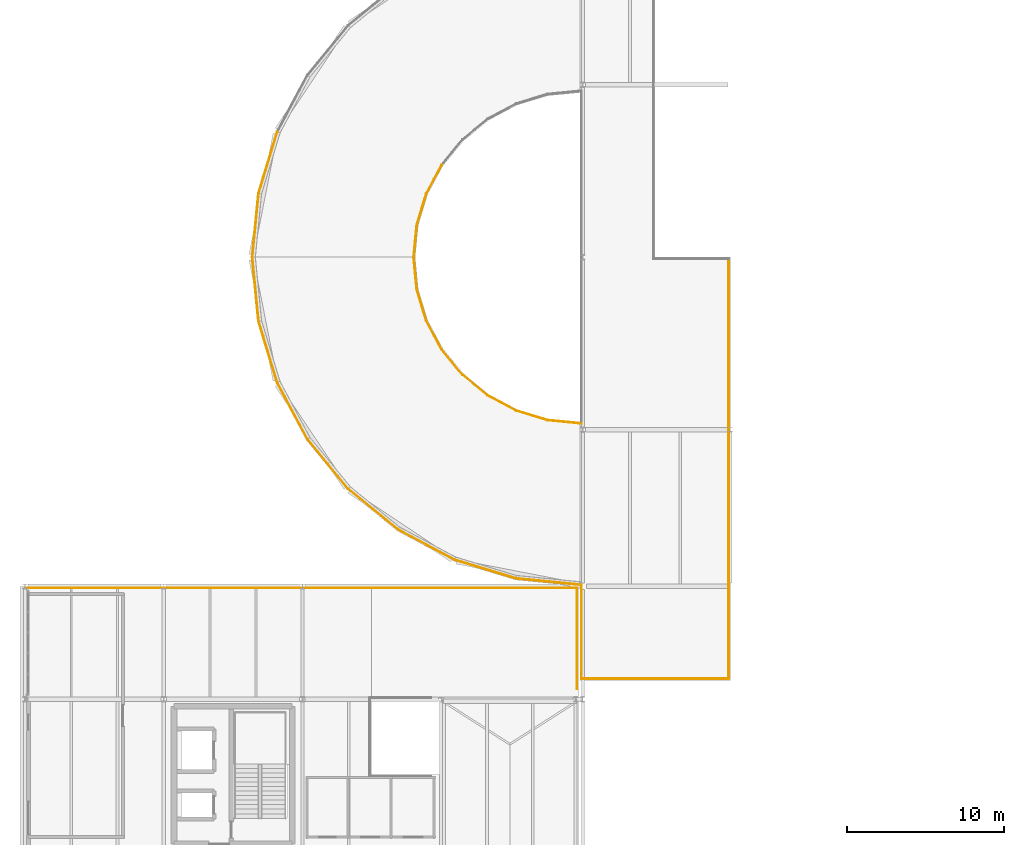
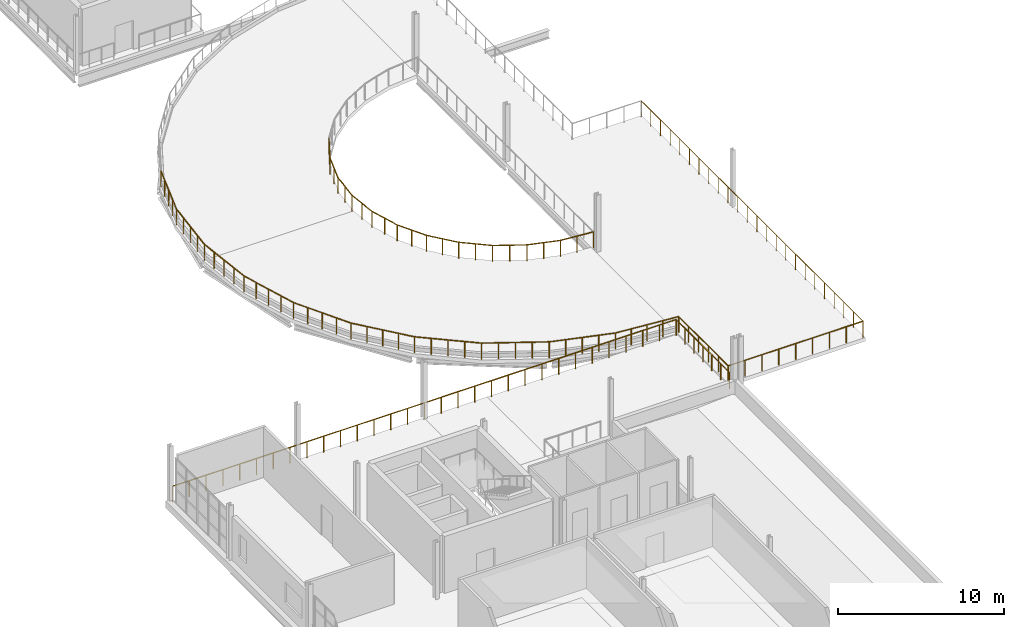
# One storey, part 52 of 58: 26 railings.
"""IFC4 building model written with IfcOpenShell, lengths in metres."""

import ifcopenshell
import ifcopenshell.guid

model = None  # the IFC model being written
_history = None  # IfcOwnerHistory: only IFC2X3 demands one
_inside = {}  # id of a spatial element -> (the spatial element, [elements in it])
_under = {}  # id of a project, library or spatial element -> (it, [spatial elements below it])
_declared = {}  # id of a project -> (the project, [libraries it declares])
_typed = {}  # id of a type object -> (the type object, [elements of that type])
_made_of = {}  # id of a material, layer set ... -> (it, [elements and type objects made of it])


def new_model(schema):
    """Start an empty IFC model of exactly this schema.

    Asked for "IFC4X3", IfcOpenShell would pick the latest addendum, in which some entities
    have other attributes; the version numbers below select the first issue.
    IFC2X3 requires an IfcOwnerHistory on every rooted entity: one is made here for all.
    """
    global model, _history
    if schema == "IFC4X3":
        model = ifcopenshell.file(schema_version=(4, 3, 0, 0))
    else:
        model = ifcopenshell.file(schema=schema)
    _inside.clear()
    _under.clear()
    _declared.clear()
    _typed.clear()
    _made_of.clear()
    _history = None
    if model.schema == "IFC2X3":
        org = make("IfcOrganization", Name="unknown")
        user = make(
            "IfcPersonAndOrganization",
            ThePerson=make("IfcPerson", FamilyName="unknown"),
            TheOrganization=org,
        )
        app = make(
            "IfcApplication",
            ApplicationDeveloper=org,
            Version="unknown",
            ApplicationFullName="unknown",
            ApplicationIdentifier="unknown",
        )
        _history = make(
            "IfcOwnerHistory",
            OwningUser=user,
            OwningApplication=app,
            ChangeAction="ADDED",
            CreationDate=0,
        )
    return model


def make(cls, **values):
    """One entity of the class cls with the attributes given. An attribute that is None is left unset."""
    return model.create_entity(
        cls, **{name: value for name, value in values.items() if value is not None}
    )


def rooted(cls, **values):
    """An entity with a GlobalId (a new one), such as an element, a storey or a relation."""
    return make(cls, GlobalId=ifcopenshell.guid.new(), OwnerHistory=_history, **values)


def si_unit(unit_type, name, prefix=None):
    """IfcSIUnit, for example si_unit("LENGTHUNIT", "METRE", prefix="MILLI")."""
    return make("IfcSIUnit", UnitType=unit_type, Prefix=prefix, Name=name)


def assignment(units):
    """IfcUnitAssignment: the units of a project."""
    return None if units is None else make("IfcUnitAssignment", Units=units)


def point(xyz):
    """IfcCartesianPoint."""
    return None if xyz is None else make("IfcCartesianPoint", Coordinates=xyz)


def direction(xyz):
    """IfcDirection."""
    return None if xyz is None else make("IfcDirection", DirectionRatios=xyz)


def frame(location, z_axis=None, x_axis=None):
    """IfcAxis2Placement3D, a coordinate frame: its origin and axes. An axis left out is left unset."""
    return make(
        "IfcAxis2Placement3D",
        Location=point(location),
        Axis=direction(z_axis),
        RefDirection=direction(x_axis),
    )


def frame_2d(location, x_axis=None):
    """IfcAxis2Placement2D, a coordinate frame in the plane: its origin and x axis."""
    return make(
        "IfcAxis2Placement2D", Location=point(location), RefDirection=direction(x_axis)
    )


def origin():
    """The frame at (0, 0, 0) with its axes left unset."""
    return frame((0.0, 0.0, 0.0))


def origin_2d():
    """The frame at (0, 0) in the plane with its x axis left unset."""
    return frame_2d((0.0, 0.0))


def place(relative_to, where):
    """IfcLocalPlacement: puts the frame where relative to a parent placement (None: the world)."""
    return make(
        "IfcLocalPlacement", PlacementRelTo=relative_to, RelativePlacement=where
    )


def context(
    kind, dimensions, precision=None, world=None, true_north=None, identifier=None
):
    """IfcGeometricRepresentationContext, for example the 3D "Model" context."""
    return make(
        "IfcGeometricRepresentationContext",
        ContextIdentifier=identifier,
        ContextType=kind,
        CoordinateSpaceDimension=dimensions,
        Precision=precision,
        WorldCoordinateSystem=world,
        TrueNorth=true_north,
    )


def subcontext(parent, identifier, kind, view, scale=None):
    """IfcGeometricRepresentationSubContext, for example "Body" below "Model"."""
    return make(
        "IfcGeometricRepresentationSubContext",
        ContextIdentifier=identifier,
        ContextType=kind,
        ParentContext=parent,
        TargetScale=scale,
        TargetView=view,
    )


def project(units=None, contexts=None):
    """IfcProject with its units and contexts."""
    return rooted(
        "IfcProject",
        Name="project",
        RepresentationContexts=contexts,
        UnitsInContext=assignment(units),
    )


def spatial(cls, under=None, at=None, **own):
    """A site, building, storey or space (cls), placed at a placement, below another one or the project."""
    s = rooted(cls, ObjectPlacement=at, **own)
    if under is not None:
        _under.setdefault(under.id(), (under, []))[1].append(s)
    return s


def profile(cls, at=None, kind="AREA", **sizes):
    """A parametric profile (cls). Its sizes go by their IFC names, for example OverallWidth=200.0."""
    return make(cls, ProfileType=kind, Position=at, **sizes)


def circle(**sizes):
    """IfcCircleProfileDef."""
    return profile("IfcCircleProfileDef", **sizes)


def extrude(swept, where, along, depth):
    """IfcExtrudedAreaSolid: the profile swept, set in the frame where, extruded along a direction by depth."""
    return make(
        "IfcExtrudedAreaSolid",
        SweptArea=swept,
        Position=where,
        ExtrudedDirection=direction(along),
        Depth=depth,
    )


def shape(context_of_items, identifier, shape_type, items):
    """IfcShapeRepresentation: the items that make up one representation, for example the "Body"."""
    return make(
        "IfcShapeRepresentation",
        ContextOfItems=context_of_items,
        RepresentationIdentifier=identifier,
        RepresentationType=shape_type,
        Items=items,
    )


def material(Name=None, Category=None):
    """IfcMaterial."""
    return make("IfcMaterial", Name=Name, Category=Category)


def made_of(thing, what):
    """Note that an element or type object is made of a material, layer set ...; save() writes the relation."""
    if what is not None:
        _made_of.setdefault(what.id(), (what, []))[1].append(thing)
    return thing


def type_object(cls, material=None, **own):
    """A type object (cls), such as IfcWallType, which elements share."""
    return made_of(rooted(cls, **own), material)


def element(
    cls,
    number,
    at=None,
    inside=None,
    cuts=None,
    type_object=None,
    material=None,
    context=None,
    identifier="Body",
    shape_type=None,
    held_by="IfcProductDefinitionShape",
    body=None,
    shapes=None,
    **own,
):
    """One element of the class cls, such as IfcWall. Its Tag is "e" and its number.

    at: its placement. inside: the storey or other place that contains it. cuts: it is an
    opening in that element (IfcRelVoidsElement). A single representation is given by context,
    identifier, shape_type and body (its items); several are given by shapes. held_by: the class
    of the entity that holds the representations. save() writes the other relations.
    """
    e = rooted(cls, Tag="e%d" % number, ObjectPlacement=at, **own)
    if body is not None:
        shapes = [shape(context, identifier, shape_type, body)]
    if shapes is not None:
        e.Representation = make(held_by, Representations=shapes)
    if inside is not None:
        _inside.setdefault(inside.id(), (inside, []))[1].append(e)
    if cuts is not None:
        rooted(
            "IfcRelVoidsElement", RelatingBuildingElement=cuts, RelatedOpeningElement=e
        )
    if type_object is not None:
        _typed.setdefault(type_object.id(), (type_object, []))[1].append(e)
    return made_of(e, material)


def aggregate(whole, parts):
    """IfcRelAggregates: a whole, such as a stair, and the parts it consists of."""
    return rooted("IfcRelAggregates", RelatingObject=whole, RelatedObjects=parts)


def save(model, path):
    """Write the relations noted so far, then the file.

    IfcRelAggregates (storeys below a building ...), IfcRelContainedInSpatialStructure (elements
    in a storey), IfcRelDefinesByType, IfcRelAssociatesMaterial and IfcRelDeclares: one each for
    every whole, place, type object, material and project.
    """
    for whole, parts in _under.values():
        aggregate(whole, parts)
    for where, things in _inside.values():
        rooted(
            "IfcRelContainedInSpatialStructure",
            RelatedElements=things,
            RelatingStructure=where,
        )
    for kind, things in _typed.values():
        rooted("IfcRelDefinesByType", RelatedObjects=things, RelatingType=kind)
    for what, things in _made_of.values():
        rooted("IfcRelAssociatesMaterial", RelatedObjects=things, RelatingMaterial=what)
    for by, libraries in _declared.values():
        rooted("IfcRelDeclares", RelatingContext=by, RelatedDefinitions=libraries)
    model.write(path)


model = new_model("IFC4")

# Units and contexts
model_context = context("Model", 3, precision=1e-05, world=origin(), true_north=direction((0.0, 1.0)))
body_context = subcontext(model_context, "Body", "Model", "MODEL_VIEW")
ifc_project = project(units=[si_unit("LENGTHUNIT", "METRE"), si_unit("AREAUNIT", "SQUARE_METRE"), si_unit("VOLUMEUNIT", "CUBIC_METRE"), si_unit("PLANEANGLEUNIT", "RADIAN"), si_unit("MASSUNIT", "GRAM", prefix="KILO")], contexts=[model_context])

# Site, building, storey
site_placement = place(None, origin())
site = spatial("IfcSite", under=ifc_project, at=site_placement, CompositionType="ELEMENT")
building_placement = place(site_placement, origin())
building = spatial("IfcBuilding", under=site, at=building_placement, Name="Yeouljin Market Hall", CompositionType="ELEMENT")
storey_placement = place(building_placement, frame((0.0, 0.0, 10.800048828125)))
storey = spatial("IfcBuildingStorey", under=building, at=storey_placement, Name="L02", CompositionType="ELEMENT", Elevation=10.800048828125)

# Railings
ifc_material = material(Name="Wrought Iron and Bronze Gallery Balustrade")
railing_type = type_object("IfcRailingType", Name="Railing_AtriumBalustrade_1200", PredefinedType="BALUSTRADE", material=ifc_material)
railing_1_placement = place(storey_placement, frame((20.621826171875, 42.221923828125, 0.0)))
element("IfcRailing", 1, at=railing_1_placement, inside=storey, type_object=railing_type, Name="Gallery & deck edge balustrade L02-220", PredefinedType="BALUSTRADE", context=body_context, shape_type="SweptSolid", body=[
    extrude(circle(Radius=0.02392578125, at=origin_2d()), frame((0.0, 0.0, 1.17578125), z_axis=(-0.634398793596, 0.773005931855, 0.0), x_axis=(-0.773005931855, -0.634398793596, 0.0)), (0.0, 0.0, 1.0), 4.096923828125),
    extrude(circle(Radius=0.02099609375, at=origin_2d()), origin(), (0.0, 0.0, 1.0), 1.15185546875),
    extrude(circle(Radius=0.02099609375, at=origin_2d()), frame((-0.64990234375, 0.791748046875, 0.0)), (0.0, 0.0, 1.0), 1.15185546875),
    extrude(circle(Radius=0.02099609375, at=origin_2d()), frame((-1.299560546875, 1.58349609375, 0.0)), (0.0, 0.0, 1.0), 1.15185546875),
    extrude(circle(Radius=0.02099609375, at=origin_2d()), frame((-1.94921875, 2.375244140625, 0.0)), (0.0, 0.0, 1.0), 1.15185546875),
    extrude(circle(Radius=0.02099609375, at=origin_2d()), frame((-2.59912109375, 3.1669921875, 0.0)), (0.0, 0.0, 1.0), 1.15185546875),
])
railing_2_placement = place(storey_placement, frame((18.022705078125, 45.388916015625, 0.0)))
element("IfcRailing", 2, at=railing_2_placement, inside=storey, type_object=railing_type, Name="Gallery & deck edge balustrade L02-221", PredefinedType="BALUSTRADE", context=body_context, shape_type="SweptSolid", body=[
    extrude(circle(Radius=0.02392578125, at=origin_2d()), frame((0.0, 0.0, 1.17578125), z_axis=(-0.471407637126, 0.88191543793, 0.0), x_axis=(-0.88191543793, -0.471407637126, 0.0)), (0.0, 0.0, 1.0), 4.09716796875),
    extrude(circle(Radius=0.02099609375, at=origin_2d()), origin(), (0.0, 0.0, 1.0), 1.15185546875),
    extrude(circle(Radius=0.02099609375, at=origin_2d()), frame((-0.48291015625, 0.9033203125, 0.0)), (0.0, 0.0, 1.0), 1.15185546875),
    extrude(circle(Radius=0.02099609375, at=origin_2d()), frame((-0.9658203125, 1.806640625, 0.0)), (0.0, 0.0, 1.0), 1.15185546875),
    extrude(circle(Radius=0.02099609375, at=origin_2d()), frame((-1.448486328125, 2.7099609375, 0.0)), (0.0, 0.0, 1.0), 1.15185546875),
    extrude(circle(Radius=0.02099609375, at=origin_2d()), frame((-1.931396484375, 3.61328125, 0.0)), (0.0, 0.0, 1.0), 1.15185546875),
])
railing_3_placement = place(storey_placement, frame((16.09130859375, 49.002197265625, 0.0)))
element("IfcRailing", 3, at=railing_3_placement, inside=storey, type_object=railing_type, Name="Gallery & deck edge balustrade L02-222", PredefinedType="BALUSTRADE", context=body_context, shape_type="SweptSolid", body=[
    extrude(circle(Radius=0.02392578125, at=origin_2d()), frame((0.0, 0.0, 1.17578125), z_axis=(-0.290276980218, 0.956942670569, 0.0), x_axis=(-0.956942670569, -0.290276980218, 0.0)), (0.0, 0.0, 1.0), 4.096923828125),
    extrude(circle(Radius=0.02099609375, at=origin_2d()), origin(), (0.0, 0.0, 1.0), 1.15185546875),
    extrude(circle(Radius=0.02099609375, at=origin_2d()), frame((-0.29736328125, 0.97998046875, 0.0)), (0.0, 0.0, 1.0), 1.15185546875),
    extrude(circle(Radius=0.02099609375, at=origin_2d()), frame((-0.5947265625, 1.960205078125, 0.0)), (0.0, 0.0, 1.0), 1.15185546875),
    extrude(circle(Radius=0.02099609375, at=origin_2d()), frame((-0.891845703125, 2.9404296875, 0.0)), (0.0, 0.0, 1.0), 1.15185546875),
    extrude(circle(Radius=0.02099609375, at=origin_2d()), frame((-1.189208984375, 3.92041015625, 0.0)), (0.0, 0.0, 1.0), 1.15185546875),
])
railing_4_placement = place(storey_placement, frame((14.902099609375, 52.922607421875, 0.0)))
element("IfcRailing", 4, at=railing_4_placement, inside=storey, type_object=railing_type, Name="Gallery & deck edge balustrade L02-223", PredefinedType="BALUSTRADE", context=body_context, shape_type="SweptSolid", body=[
    extrude(circle(Radius=0.02392578125, at=origin_2d()), frame((0.0, 0.0, 1.17578125), z_axis=(-0.098022751111, 0.995184174043, 0.0), x_axis=(-0.995184174043, -0.098022751111, 0.0)), (0.0, 0.0, 1.0), 4.09716796875),
    extrude(circle(Radius=0.02099609375, at=origin_2d()), origin(), (0.0, 0.0, 1.0), 1.15185546875),
    extrude(circle(Radius=0.02099609375, at=origin_2d()), frame((-0.100341796875, 1.019287109375, 0.0)), (0.0, 0.0, 1.0), 1.15185546875),
    extrude(circle(Radius=0.02099609375, at=origin_2d()), frame((-0.20068359375, 2.03857421875, 0.0)), (0.0, 0.0, 1.0), 1.15185546875),
    extrude(circle(Radius=0.02099609375, at=origin_2d()), frame((-0.30126953125, 3.05810546875, 0.0)), (0.0, 0.0, 1.0), 1.15185546875),
    extrude(circle(Radius=0.02099609375, at=origin_2d()), frame((-0.401611328125, 4.077392578125, 0.0)), (0.0, 0.0, 1.0), 1.15185546875),
])
railing_5_placement = place(storey_placement, frame((14.50048828125, 57.0, 0.0)))
element("IfcRailing", 5, at=railing_5_placement, inside=storey, type_object=railing_type, Name="Gallery & deck edge balustrade L02-224", PredefinedType="BALUSTRADE", context=body_context, shape_type="SweptSolid", body=[
    extrude(circle(Radius=0.02392578125, at=origin_2d()), frame((0.0, 0.0, 1.17578125), z_axis=(0.098022751111, 0.995184174043, 0.0), x_axis=(-0.995184174043, 0.098022751111, 0.0)), (0.0, 0.0, 1.0), 4.09716796875),
    extrude(circle(Radius=0.02099609375, at=origin_2d()), origin(), (0.0, 0.0, 1.0), 1.15185546875),
    extrude(circle(Radius=0.02099609375, at=origin_2d()), frame((0.100341796875, 1.019287109375, 0.0)), (0.0, 0.0, 1.0), 1.15185546875),
    extrude(circle(Radius=0.02099609375, at=origin_2d()), frame((0.20068359375, 2.03857421875, 0.0)), (0.0, 0.0, 1.0), 1.15185546875),
    extrude(circle(Radius=0.02099609375, at=origin_2d()), frame((0.30126953125, 3.05810546875, 0.0)), (0.0, 0.0, 1.0), 1.15185546875),
    extrude(circle(Radius=0.02099609375, at=origin_2d()), frame((0.401611328125, 4.077392578125, 0.0)), (0.0, 0.0, 1.0), 1.15185546875),
])
railing_6_placement = place(storey_placement, frame((14.902099609375, 61.077392578125, 0.0)))
element("IfcRailing", 6, at=railing_6_placement, inside=storey, type_object=railing_type, Name="Gallery & deck edge balustrade L02-225", PredefinedType="BALUSTRADE", context=body_context, shape_type="SweptSolid", body=[
    extrude(circle(Radius=0.02392578125, at=origin_2d()), frame((0.0, 0.0, 1.17578125), z_axis=(0.290276980218, 0.956942670569, 0.0), x_axis=(-0.956942670569, 0.290276980218, 0.0)), (0.0, 0.0, 1.0), 4.096923828125),
    extrude(circle(Radius=0.02099609375, at=origin_2d()), origin(), (0.0, 0.0, 1.0), 1.15185546875),
    extrude(circle(Radius=0.02099609375, at=origin_2d()), frame((0.29736328125, 0.97998046875, 0.0)), (0.0, 0.0, 1.0), 1.15185546875),
    extrude(circle(Radius=0.02099609375, at=origin_2d()), frame((0.5947265625, 1.960205078125, 0.0)), (0.0, 0.0, 1.0), 1.15185546875),
    extrude(circle(Radius=0.02099609375, at=origin_2d()), frame((0.891845703125, 2.9404296875, 0.0)), (0.0, 0.0, 1.0), 1.15185546875),
    extrude(circle(Radius=0.02099609375, at=origin_2d()), frame((1.189208984375, 3.92041015625, 0.0)), (0.0, 0.0, 1.0), 1.15185546875),
])
railing_7_placement = place(storey_placement, frame((44.89990234375, 56.89990234375, 0.0)))
element("IfcRailing", 7, at=railing_7_placement, inside=storey, type_object=railing_type, Name="Gallery & deck edge balustrade L02-235", PredefinedType="BALUSTRADE", context=body_context, shape_type="SweptSolid", body=[
    extrude(circle(Radius=0.02392578125, at=origin_2d()), frame((0.0, 0.0, 1.17578125), z_axis=(0.0, -1.0, 0.0), x_axis=(1.0, 0.0, 0.0)), (0.0, 0.0, 1.0), 26.7998046875),
    extrude(circle(Radius=0.02099609375, at=origin_2d()), origin(), (0.0, 0.0, 1.0), 1.15185546875),
    extrude(circle(Radius=0.02099609375, at=origin_2d()), frame((0.0, -1.165283203125, 0.0)), (0.0, 0.0, 1.0), 1.15185546875),
    extrude(circle(Radius=0.02099609375, at=origin_2d()), frame((0.0, -2.330322265625, 0.0)), (0.0, 0.0, 1.0), 1.15185546875),
    extrude(circle(Radius=0.02099609375, at=origin_2d()), frame((0.0, -3.49560546875, 0.0)), (0.0, 0.0, 1.0), 1.15185546875),
    extrude(circle(Radius=0.02099609375, at=origin_2d()), frame((0.0, -4.660888671875, 0.0)), (0.0, 0.0, 1.0), 1.15185546875),
    extrude(circle(Radius=0.02099609375, at=origin_2d()), frame((0.0, -5.825927734375, 0.0)), (0.0, 0.0, 1.0), 1.15185546875),
    extrude(circle(Radius=0.02099609375, at=origin_2d()), frame((0.0, -6.9912109375, 0.0)), (0.0, 0.0, 1.0), 1.15185546875),
    extrude(circle(Radius=0.02099609375, at=origin_2d()), frame((0.0, -8.156494140625, 0.0)), (0.0, 0.0, 1.0), 1.15185546875),
    extrude(circle(Radius=0.02099609375, at=origin_2d()), frame((0.0, -9.32177734375, 0.0)), (0.0, 0.0, 1.0), 1.15185546875),
    extrude(circle(Radius=0.02099609375, at=origin_2d()), frame((0.0, -10.48681640625, 0.0)), (0.0, 0.0, 1.0), 1.15185546875),
    extrude(circle(Radius=0.02099609375, at=origin_2d()), frame((0.0, -11.652099609375, 0.0)), (0.0, 0.0, 1.0), 1.15185546875),
    extrude(circle(Radius=0.02099609375, at=origin_2d()), frame((0.0, -12.8173828125, 0.0)), (0.0, 0.0, 1.0), 1.15185546875),
    extrude(circle(Radius=0.02099609375, at=origin_2d()), frame((0.0, -13.982421875, 0.0)), (0.0, 0.0, 1.0), 1.15185546875),
    extrude(circle(Radius=0.02099609375, at=origin_2d()), frame((0.0, -15.147705078125, 0.0)), (0.0, 0.0, 1.0), 1.15185546875),
    extrude(circle(Radius=0.02099609375, at=origin_2d()), frame((0.0, -16.31298828125, 0.0)), (0.0, 0.0, 1.0), 1.15185546875),
    extrude(circle(Radius=0.02099609375, at=origin_2d()), frame((0.0, -17.47802734375, 0.0)), (0.0, 0.0, 1.0), 1.15185546875),
    extrude(circle(Radius=0.02099609375, at=origin_2d()), frame((0.0, -18.643310546875, 0.0)), (0.0, 0.0, 1.0), 1.15185546875),
    extrude(circle(Radius=0.02099609375, at=origin_2d()), frame((0.0, -19.80859375, 0.0)), (0.0, 0.0, 1.0), 1.15185546875),
    extrude(circle(Radius=0.02099609375, at=origin_2d()), frame((0.0, -20.973876953125, 0.0)), (0.0, 0.0, 1.0), 1.15185546875),
    extrude(circle(Radius=0.02099609375, at=origin_2d()), frame((0.0, -22.138916015625, 0.0)), (0.0, 0.0, 1.0), 1.15185546875),
    extrude(circle(Radius=0.02099609375, at=origin_2d()), frame((0.0, -23.30419921875, 0.0)), (0.0, 0.0, 1.0), 1.15185546875),
    extrude(circle(Radius=0.02099609375, at=origin_2d()), frame((0.0, -24.469482421875, 0.0)), (0.0, 0.0, 1.0), 1.15185546875),
    extrude(circle(Radius=0.02099609375, at=origin_2d()), frame((0.0, -25.634521484375, 0.0)), (0.0, 0.0, 1.0), 1.15185546875),
    extrude(circle(Radius=0.02099609375, at=origin_2d()), frame((0.0, -26.7998046875, 0.0)), (0.0, 0.0, 1.0), 1.15185546875),
])
railing_8_placement = place(storey_placement, frame((44.89990234375, 30.10009765625, 0.0)))
element("IfcRailing", 8, at=railing_8_placement, inside=storey, type_object=railing_type, Name="Gallery & deck edge balustrade L02-236", PredefinedType="BALUSTRADE", context=body_context, shape_type="SweptSolid", body=[
    extrude(circle(Radius=0.02392578125, at=origin_2d()), frame((0.0, 0.0, 1.17578125), z_axis=(-1.0, 0.0, 0.0), x_axis=(0.0, -1.0, 0.0)), (0.0, 0.0, 1.0), 9.39990234375),
    extrude(circle(Radius=0.02099609375, at=origin_2d()), origin(), (0.0, 0.0, 1.0), 1.15185546875),
    extrude(circle(Radius=0.02099609375, at=origin_2d()), frame((-1.175048828125, 0.0, 0.0)), (0.0, 0.0, 1.0), 1.15185546875),
    extrude(circle(Radius=0.02099609375, at=origin_2d()), frame((-2.35009765625, 0.0, 0.0)), (0.0, 0.0, 1.0), 1.15185546875),
    extrude(circle(Radius=0.02099609375, at=origin_2d()), frame((-3.52490234375, 0.0, 0.0)), (0.0, 0.0, 1.0), 1.15185546875),
    extrude(circle(Radius=0.02099609375, at=origin_2d()), frame((-4.699951171875, 0.0, 0.0)), (0.0, 0.0, 1.0), 1.15185546875),
    extrude(circle(Radius=0.02099609375, at=origin_2d()), frame((-5.875, 0.0, 0.0)), (0.0, 0.0, 1.0), 1.15185546875),
    extrude(circle(Radius=0.02099609375, at=origin_2d()), frame((-7.0498046875, 0.0, 0.0)), (0.0, 0.0, 1.0), 1.15185546875),
    extrude(circle(Radius=0.02099609375, at=origin_2d()), frame((-8.224853515625, 0.0, 0.0)), (0.0, 0.0, 1.0), 1.15185546875),
    extrude(circle(Radius=0.02099609375, at=origin_2d()), frame((-9.39990234375, 0.0, 0.0)), (0.0, 0.0, 1.0), 1.15185546875),
])
railing_9_placement = place(storey_placement, frame((35.5, 30.10009765625, 0.0)))
element("IfcRailing", 9, at=railing_9_placement, inside=storey, type_object=railing_type, Name="Gallery & deck edge balustrade L02-237", PredefinedType="BALUSTRADE", context=body_context, shape_type="SweptSolid", body=[
    extrude(circle(Radius=0.02392578125, at=origin_2d()), frame((0.0, 0.0, 1.17578125), z_axis=(0.0, 1.0, 0.0), x_axis=(-1.0, 0.0, 0.0)), (0.0, 0.0, 1.0), 5.990478515625),
    extrude(circle(Radius=0.02099609375, at=origin_2d()), origin(), (0.0, 0.0, 1.0), 1.15185546875),
    extrude(circle(Radius=0.02099609375, at=origin_2d()), frame((0.0, 1.197998046875, 0.0)), (0.0, 0.0, 1.0), 1.15185546875),
    extrude(circle(Radius=0.02099609375, at=origin_2d()), frame((0.0, 2.396240234375, 0.0)), (0.0, 0.0, 1.0), 1.15185546875),
    extrude(circle(Radius=0.02099609375, at=origin_2d()), frame((0.0, 3.59423828125, 0.0)), (0.0, 0.0, 1.0), 1.15185546875),
    extrude(circle(Radius=0.02099609375, at=origin_2d()), frame((0.0, 4.79248046875, 0.0)), (0.0, 0.0, 1.0), 1.15185546875),
    extrude(circle(Radius=0.02099609375, at=origin_2d()), frame((0.0, 5.990478515625, 0.0)), (0.0, 0.0, 1.0), 1.15185546875),
])
railing_10_placement = place(storey_placement, frame((35.5, 36.090576171875, 0.0)))
element("IfcRailing", 10, at=railing_10_placement, inside=storey, type_object=railing_type, Name="Gallery & deck edge balustrade L02-238", PredefinedType="BALUSTRADE", context=body_context, shape_type="SweptSolid", body=[
    extrude(circle(Radius=0.02392578125, at=origin_2d()), frame((0.0, 0.0, 1.17578125), z_axis=(-0.995180118121, 0.098063920465, 0.0), x_axis=(-0.098063920465, -0.995180118121, 0.0)), (0.0, 0.0, 1.0), 4.197509765625),
    extrude(circle(Radius=0.02099609375, at=origin_2d()), origin(), (0.0, 0.0, 1.0), 1.15185546875),
    extrude(circle(Radius=0.02099609375, at=origin_2d()), frame((-1.04443359375, 0.10302734375, 0.0)), (0.0, 0.0, 1.0), 1.15185546875),
    extrude(circle(Radius=0.02099609375, at=origin_2d()), frame((-2.088623046875, 0.205810546875, 0.0)), (0.0, 0.0, 1.0), 1.15185546875),
    extrude(circle(Radius=0.02099609375, at=origin_2d()), frame((-3.1328125, 0.30859375, 0.0)), (0.0, 0.0, 1.0), 1.15185546875),
    extrude(circle(Radius=0.02099609375, at=origin_2d()), frame((-4.17724609375, 0.41162109375, 0.0)), (0.0, 0.0, 1.0), 1.15185546875),
])
railing_11_placement = place(storey_placement, frame((31.32275390625, 36.502197265625, 0.0)))
element("IfcRailing", 11, at=railing_11_placement, inside=storey, type_object=railing_type, Name="Gallery & deck edge balustrade L02-239", PredefinedType="BALUSTRADE", context=body_context, shape_type="SweptSolid", body=[
    extrude(circle(Radius=0.02392578125, at=origin_2d()), frame((0.0, 0.0, 1.17578125), z_axis=(-0.95694769148, 0.290260427498, 0.0), x_axis=(-0.290260427498, -0.95694769148, 0.0)), (0.0, 0.0, 1.0), 4.096923828125),
    extrude(circle(Radius=0.02099609375, at=origin_2d()), origin(), (0.0, 0.0, 1.0), 1.15185546875),
    extrude(circle(Radius=0.02099609375, at=origin_2d()), frame((-0.980224609375, 0.29736328125, 0.0)), (0.0, 0.0, 1.0), 1.15185546875),
    extrude(circle(Radius=0.02099609375, at=origin_2d()), frame((-1.96044921875, 0.5947265625, 0.0)), (0.0, 0.0, 1.0), 1.15185546875),
    extrude(circle(Radius=0.02099609375, at=origin_2d()), frame((-2.9404296875, 0.891845703125, 0.0)), (0.0, 0.0, 1.0), 1.15185546875),
    extrude(circle(Radius=0.02099609375, at=origin_2d()), frame((-3.920654296875, 1.189208984375, 0.0)), (0.0, 0.0, 1.0), 1.15185546875),
])
railing_12_placement = place(storey_placement, frame((27.402099609375, 37.69140625, 0.0)))
element("IfcRailing", 12, at=railing_12_placement, inside=storey, type_object=railing_type, Name="Gallery & deck edge balustrade L02-240", PredefinedType="BALUSTRADE", context=body_context, shape_type="SweptSolid", body=[
    extrude(circle(Radius=0.02392578125, at=origin_2d()), frame((0.0, 0.0, 1.17578125), z_axis=(-0.881940210989, 0.471361288441, 0.0), x_axis=(-0.471361288441, -0.881940210989, 0.0)), (0.0, 0.0, 1.0), 4.096923828125),
    extrude(circle(Radius=0.02099609375, at=origin_2d()), origin(), (0.0, 0.0, 1.0), 1.15185546875),
    extrude(circle(Radius=0.02099609375, at=origin_2d()), frame((-0.9033203125, 0.48291015625, 0.0)), (0.0, 0.0, 1.0), 1.15185546875),
    extrude(circle(Radius=0.02099609375, at=origin_2d()), frame((-1.806640625, 0.965576171875, 0.0)), (0.0, 0.0, 1.0), 1.15185546875),
    extrude(circle(Radius=0.02099609375, at=origin_2d()), frame((-2.7099609375, 1.4482421875, 0.0)), (0.0, 0.0, 1.0), 1.15185546875),
    extrude(circle(Radius=0.02099609375, at=origin_2d()), frame((-3.61328125, 1.93115234375, 0.0)), (0.0, 0.0, 1.0), 1.15185546875),
])
railing_13_placement = place(storey_placement, frame((23.788818359375, 39.62255859375, 0.0)))
element("IfcRailing", 13, at=railing_13_placement, inside=storey, type_object=railing_type, Name="Gallery & deck edge balustrade L02-241", PredefinedType="BALUSTRADE", context=body_context, shape_type="SweptSolid", body=[
    extrude(circle(Radius=0.02392578125, at=origin_2d()), frame((0.0, 0.0, 1.17578125), z_axis=(-0.772976709391, 0.634434399082, 0.0), x_axis=(-0.634434399082, -0.772976709391, 0.0)), (0.0, 0.0, 1.0), 4.09716796875),
    extrude(circle(Radius=0.02099609375, at=origin_2d()), origin(), (0.0, 0.0, 1.0), 1.15185546875),
    extrude(circle(Radius=0.02099609375, at=origin_2d()), frame((-0.791748046875, 0.64990234375, 0.0)), (0.0, 0.0, 1.0), 1.15185546875),
    extrude(circle(Radius=0.02099609375, at=origin_2d()), frame((-1.58349609375, 1.2998046875, 0.0)), (0.0, 0.0, 1.0), 1.15185546875),
    extrude(circle(Radius=0.02099609375, at=origin_2d()), frame((-2.375244140625, 1.949462890625, 0.0)), (0.0, 0.0, 1.0), 1.15185546875),
    extrude(circle(Radius=0.02099609375, at=origin_2d()), frame((-3.1669921875, 2.599365234375, 0.0)), (0.0, 0.0, 1.0), 1.15185546875),
])
railing_14_placement = place(storey_placement, frame((26.586181640625, 51.110595703125, 0.0)))
element("IfcRailing", 14, at=railing_14_placement, inside=storey, type_object=railing_type, Name="Gallery & deck edge balustrade L02-242", PredefinedType="BALUSTRADE", context=body_context, shape_type="SweptSolid", body=[
    extrude(circle(Radius=0.02392578125, at=origin_2d()), frame((0.0, 0.0, 1.17578125), z_axis=(0.634376028648, -0.773024614276, 0.0), x_axis=(0.773024614276, 0.634376028648, 0.0)), (0.0, 0.0, 1.0), 2.077880859375),
    extrude(circle(Radius=0.02099609375, at=origin_2d()), origin(), (0.0, 0.0, 1.0), 1.15185546875),
    extrude(circle(Radius=0.02099609375, at=origin_2d()), frame((0.6591796875, -0.80322265625, 0.0)), (0.0, 0.0, 1.0), 1.15185546875),
    extrude(circle(Radius=0.02099609375, at=origin_2d()), frame((1.318115234375, -1.606201171875, 0.0)), (0.0, 0.0, 1.0), 1.15185546875),
])
railing_15_placement = place(storey_placement, frame((27.904296875, 49.50439453125, 0.0)))
element("IfcRailing", 15, at=railing_15_placement, inside=storey, type_object=railing_type, Name="Gallery & deck edge balustrade L02-243", PredefinedType="BALUSTRADE", context=body_context, shape_type="SweptSolid", body=[
    extrude(circle(Radius=0.02392578125, at=origin_2d()), frame((0.0, 0.0, 1.17578125), z_axis=(0.773014281235, -0.634388619859, 0.0), x_axis=(0.634388619859, 0.773014281235, 0.0)), (0.0, 0.0, 1.0), 2.078125),
    extrude(circle(Radius=0.02099609375, at=origin_2d()), origin(), (0.0, 0.0, 1.0), 1.15185546875),
    extrude(circle(Radius=0.02099609375, at=origin_2d()), frame((0.80322265625, -0.6591796875, 0.0)), (0.0, 0.0, 1.0), 1.15185546875),
    extrude(circle(Radius=0.02099609375, at=origin_2d()), frame((1.6064453125, -1.318359375, 0.0)), (0.0, 0.0, 1.0), 1.15185546875),
])
railing_16_placement = place(storey_placement, frame((29.5107421875, 48.18603515625, 0.0)))
element("IfcRailing", 16, at=railing_16_placement, inside=storey, type_object=railing_type, Name="Gallery & deck edge balustrade L02-244", PredefinedType="BALUSTRADE", context=body_context, shape_type="SweptSolid", body=[
    extrude(circle(Radius=0.02392578125, at=origin_2d()), frame((0.0, 0.0, 1.17578125), z_axis=(0.88192324687, -0.47139302777, 0.0), x_axis=(0.47139302777, 0.88192324687, 0.0)), (0.0, 0.0, 1.0), 2.077880859375),
    extrude(circle(Radius=0.02099609375, at=origin_2d()), origin(), (0.0, 0.0, 1.0), 1.15185546875),
    extrude(circle(Radius=0.02099609375, at=origin_2d()), frame((0.916259765625, -0.48974609375, 0.0)), (0.0, 0.0, 1.0), 1.15185546875),
    extrude(circle(Radius=0.02099609375, at=origin_2d()), frame((1.83251953125, -0.9794921875, 0.0)), (0.0, 0.0, 1.0), 1.15185546875),
])
railing_17_placement = place(storey_placement, frame((31.34326171875, 47.20654296875, 0.0)))
element("IfcRailing", 17, at=railing_17_placement, inside=storey, type_object=railing_type, Name="Gallery & deck edge balustrade L02-245", PredefinedType="BALUSTRADE", context=body_context, shape_type="SweptSolid", body=[
    extrude(circle(Radius=0.02392578125, at=origin_2d()), frame((0.0, 0.0, 1.17578125), z_axis=(0.956942361687, -0.290277998493, 0.0), x_axis=(0.290277998493, 0.956942361687, 0.0)), (0.0, 0.0, 1.0), 2.078369140625),
    extrude(circle(Radius=0.02099609375, at=origin_2d()), origin(), (0.0, 0.0, 1.0), 1.15185546875),
    extrude(circle(Radius=0.02099609375, at=origin_2d()), frame((0.994384765625, -0.3017578125, 0.0)), (0.0, 0.0, 1.0), 1.15185546875),
    extrude(circle(Radius=0.02099609375, at=origin_2d()), frame((1.98876953125, -0.603271484375, 0.0)), (0.0, 0.0, 1.0), 1.15185546875),
])
railing_18_placement = place(storey_placement, frame((33.33203125, 46.603271484375, 0.0)))
element("IfcRailing", 18, at=railing_18_placement, inside=storey, type_object=railing_type, Name="Gallery & deck edge balustrade L02-246", PredefinedType="BALUSTRADE", context=body_context, shape_type="SweptSolid", body=[
    extrude(circle(Radius=0.02392578125, at=origin_2d()), frame((0.0, 0.0, 1.17578125), z_axis=(0.995180392981, -0.098061131065, 0.0), x_axis=(0.098061131065, 0.995180392981, 0.0)), (0.0, 0.0, 1.0), 2.178466796875),
    extrude(circle(Radius=0.02099609375, at=origin_2d()), origin(), (0.0, 0.0, 1.0), 1.15185546875),
    extrude(circle(Radius=0.02099609375, at=origin_2d()), frame((1.083984375, -0.10693359375, 0.0)), (0.0, 0.0, 1.0), 1.15185546875),
    extrude(circle(Radius=0.02099609375, at=origin_2d()), frame((2.16796875, -0.213623046875, 0.0)), (0.0, 0.0, 1.0), 1.15185546875),
])
railing_19_placement = place(storey_placement, frame((26.586181640625, 62.889404296875, 0.0)))
element("IfcRailing", 19, at=railing_19_placement, inside=storey, type_object=railing_type, Name="Gallery & deck edge balustrade L02-253", PredefinedType="BALUSTRADE", context=body_context, shape_type="SweptSolid", body=[
    extrude(circle(Radius=0.02392578125, at=origin_2d()), frame((0.0, 0.0, 1.17578125), z_axis=(-0.471435560524, -0.881900511551, 0.0), x_axis=(0.881900511551, -0.471435560524, 0.0)), (0.0, 0.0, 1.0), 2.078125),
    extrude(circle(Radius=0.02099609375, at=origin_2d()), origin(), (0.0, 0.0, 1.0), 1.15185546875),
    extrude(circle(Radius=0.02099609375, at=origin_2d()), frame((-0.48974609375, -0.91650390625, 0.0)), (0.0, 0.0, 1.0), 1.15185546875),
    extrude(circle(Radius=0.02099609375, at=origin_2d()), frame((-0.979736328125, -1.832763671875, 0.0)), (0.0, 0.0, 1.0), 1.15185546875),
])
railing_20_placement = place(storey_placement, frame((25.6064453125, 61.056640625, 0.0)))
element("IfcRailing", 20, at=railing_20_placement, inside=storey, type_object=railing_type, Name="Gallery & deck edge balustrade L02-254", PredefinedType="BALUSTRADE", context=body_context, shape_type="SweptSolid", body=[
    extrude(circle(Radius=0.02392578125, at=origin_2d()), frame((0.0, 0.0, 1.17578125), z_axis=(-0.290310633812, -0.956932461512, 0.0), x_axis=(0.956932461512, -0.290310633812, 0.0)), (0.0, 0.0, 1.0), 2.078125),
    extrude(circle(Radius=0.02099609375, at=origin_2d()), origin(), (0.0, 0.0, 1.0), 1.15185546875),
    extrude(circle(Radius=0.02099609375, at=origin_2d()), frame((-0.3017578125, -0.994140625, 0.0)), (0.0, 0.0, 1.0), 1.15185546875),
    extrude(circle(Radius=0.02099609375, at=origin_2d()), frame((-0.603271484375, -1.988525390625, 0.0)), (0.0, 0.0, 1.0), 1.15185546875),
])
railing_21_placement = place(storey_placement, frame((25.003173828125, 59.068115234375, 0.0)))
element("IfcRailing", 21, at=railing_21_placement, inside=storey, type_object=railing_type, Name="Gallery & deck edge balustrade L02-255", PredefinedType="BALUSTRADE", context=body_context, shape_type="SweptSolid", body=[
    extrude(circle(Radius=0.02392578125, at=origin_2d()), frame((0.0, 0.0, 1.17578125), z_axis=(-0.097979828394, -0.995188400871, 0.0), x_axis=(0.995188400871, -0.097979828394, 0.0)), (0.0, 0.0, 1.0), 2.078125),
    extrude(circle(Radius=0.02099609375, at=origin_2d()), origin(), (0.0, 0.0, 1.0), 1.15185546875),
    extrude(circle(Radius=0.02099609375, at=origin_2d()), frame((-0.101806640625, -1.0341796875, 0.0)), (0.0, 0.0, 1.0), 1.15185546875),
    extrude(circle(Radius=0.02099609375, at=origin_2d()), frame((-0.20361328125, -2.068115234375, 0.0)), (0.0, 0.0, 1.0), 1.15185546875),
])
railing_22_placement = place(storey_placement, frame((24.799560546875, 57.0, 0.0)))
element("IfcRailing", 22, at=railing_22_placement, inside=storey, type_object=railing_type, Name="Gallery & deck edge balustrade L02-256", PredefinedType="BALUSTRADE", context=body_context, shape_type="SweptSolid", body=[
    extrude(circle(Radius=0.02392578125, at=origin_2d()), frame((0.0, 0.0, 1.17578125), z_axis=(0.097979828394, -0.995188400871, 0.0), x_axis=(0.995188400871, 0.097979828394, 0.0)), (0.0, 0.0, 1.0), 2.078125),
    extrude(circle(Radius=0.02099609375, at=origin_2d()), origin(), (0.0, 0.0, 1.0), 1.15185546875),
    extrude(circle(Radius=0.02099609375, at=origin_2d()), frame((0.101806640625, -1.0341796875, 0.0)), (0.0, 0.0, 1.0), 1.15185546875),
    extrude(circle(Radius=0.02099609375, at=origin_2d()), frame((0.20361328125, -2.068115234375, 0.0)), (0.0, 0.0, 1.0), 1.15185546875),
])
railing_23_placement = place(storey_placement, frame((25.003173828125, 54.931884765625, 0.0)))
element("IfcRailing", 23, at=railing_23_placement, inside=storey, type_object=railing_type, Name="Gallery & deck edge balustrade L02-257", PredefinedType="BALUSTRADE", context=body_context, shape_type="SweptSolid", body=[
    extrude(circle(Radius=0.02392578125, at=origin_2d()), frame((0.0, 0.0, 1.17578125), z_axis=(0.290310633812, -0.956932461512, 0.0), x_axis=(0.956932461512, 0.290310633812, 0.0)), (0.0, 0.0, 1.0), 2.078125),
    extrude(circle(Radius=0.02099609375, at=origin_2d()), origin(), (0.0, 0.0, 1.0), 1.15185546875),
    extrude(circle(Radius=0.02099609375, at=origin_2d()), frame((0.3017578125, -0.994140625, 0.0)), (0.0, 0.0, 1.0), 1.15185546875),
    extrude(circle(Radius=0.02099609375, at=origin_2d()), frame((0.603271484375, -1.988525390625, 0.0)), (0.0, 0.0, 1.0), 1.15185546875),
])
railing_24_placement = place(storey_placement, frame((25.6064453125, 52.943359375, 0.0)))
element("IfcRailing", 24, at=railing_24_placement, inside=storey, type_object=railing_type, Name="Gallery & deck edge balustrade L02-258", PredefinedType="BALUSTRADE", context=body_context, shape_type="SweptSolid", body=[
    extrude(circle(Radius=0.02392578125, at=origin_2d()), frame((0.0, 0.0, 1.17578125), z_axis=(0.471435560524, -0.881900511551, 0.0), x_axis=(0.881900511551, 0.471435560524, 0.0)), (0.0, 0.0, 1.0), 2.078125),
    extrude(circle(Radius=0.02099609375, at=origin_2d()), origin(), (0.0, 0.0, 1.0), 1.15185546875),
    extrude(circle(Radius=0.02099609375, at=origin_2d()), frame((0.48974609375, -0.91650390625, 0.0)), (0.0, 0.0, 1.0), 1.15185546875),
    extrude(circle(Radius=0.02099609375, at=origin_2d()), frame((0.979736328125, -1.832763671875, 0.0)), (0.0, 0.0, 1.0), 1.15185546875),
])
railing_25_placement = place(storey_placement, frame((0.10009765625, 35.89990234375, 0.0)))
element("IfcRailing", 25, at=railing_25_placement, inside=storey, type_object=railing_type, Name="Gallery & deck edge balustrade L02-264", PredefinedType="BALUSTRADE", context=body_context, shape_type="SweptSolid", body=[
    extrude(circle(Radius=0.02392578125, at=origin_2d()), frame((0.0, 0.0, 1.17578125), z_axis=(1.0, 0.0, 0.0), x_axis=(0.0, 1.0, 0.0)), (0.0, 0.0, 1.0), 35.119873046875),
    extrude(circle(Radius=0.02099609375, at=origin_2d()), origin(), (0.0, 0.0, 1.0), 1.15185546875),
    extrude(circle(Radius=0.02099609375, at=origin_2d()), frame((1.170654296875, 0.0, 0.0)), (0.0, 0.0, 1.0), 1.15185546875),
    extrude(circle(Radius=0.02099609375, at=origin_2d()), frame((2.34130859375, 0.0, 0.0)), (0.0, 0.0, 1.0), 1.15185546875),
    extrude(circle(Radius=0.02099609375, at=origin_2d()), frame((3.511962890625, 0.0, 0.0)), (0.0, 0.0, 1.0), 1.15185546875),
    extrude(circle(Radius=0.02099609375, at=origin_2d()), frame((4.6826171875, 0.0, 0.0)), (0.0, 0.0, 1.0), 1.15185546875),
    extrude(circle(Radius=0.02099609375, at=origin_2d()), frame((5.853271484375, 0.0, 0.0)), (0.0, 0.0, 1.0), 1.15185546875),
    extrude(circle(Radius=0.02099609375, at=origin_2d()), frame((7.02392578125, 0.0, 0.0)), (0.0, 0.0, 1.0), 1.15185546875),
    extrude(circle(Radius=0.02099609375, at=origin_2d()), frame((8.194580078125, 0.0, 0.0)), (0.0, 0.0, 1.0), 1.15185546875),
    extrude(circle(Radius=0.02099609375, at=origin_2d()), frame((9.365234375, 0.0, 0.0)), (0.0, 0.0, 1.0), 1.15185546875),
    extrude(circle(Radius=0.02099609375, at=origin_2d()), frame((10.535888671875, 0.0, 0.0)), (0.0, 0.0, 1.0), 1.15185546875),
    extrude(circle(Radius=0.02099609375, at=origin_2d()), frame((11.70654296875, 0.0, 0.0)), (0.0, 0.0, 1.0), 1.15185546875),
    extrude(circle(Radius=0.02099609375, at=origin_2d()), frame((12.877197265625, 0.0, 0.0)), (0.0, 0.0, 1.0), 1.15185546875),
    extrude(circle(Radius=0.02099609375, at=origin_2d()), frame((14.0478515625, 0.0, 0.0)), (0.0, 0.0, 1.0), 1.15185546875),
    extrude(circle(Radius=0.02099609375, at=origin_2d()), frame((15.218505859375, 0.0, 0.0)), (0.0, 0.0, 1.0), 1.15185546875),
    extrude(circle(Radius=0.02099609375, at=origin_2d()), frame((16.38916015625, 0.0, 0.0)), (0.0, 0.0, 1.0), 1.15185546875),
    extrude(circle(Radius=0.02099609375, at=origin_2d()), frame((17.56005859375, 0.0, 0.0)), (0.0, 0.0, 1.0), 1.15185546875),
    extrude(circle(Radius=0.02099609375, at=origin_2d()), frame((18.730712890625, 0.0, 0.0)), (0.0, 0.0, 1.0), 1.15185546875),
    extrude(circle(Radius=0.02099609375, at=origin_2d()), frame((19.9013671875, 0.0, 0.0)), (0.0, 0.0, 1.0), 1.15185546875),
    extrude(circle(Radius=0.02099609375, at=origin_2d()), frame((21.072021484375, 0.0, 0.0)), (0.0, 0.0, 1.0), 1.15185546875),
    extrude(circle(Radius=0.02099609375, at=origin_2d()), frame((22.24267578125, 0.0, 0.0)), (0.0, 0.0, 1.0), 1.15185546875),
    extrude(circle(Radius=0.02099609375, at=origin_2d()), frame((23.413330078125, 0.0, 0.0)), (0.0, 0.0, 1.0), 1.15185546875),
    extrude(circle(Radius=0.02099609375, at=origin_2d()), frame((24.583984375, 0.0, 0.0)), (0.0, 0.0, 1.0), 1.15185546875),
    extrude(circle(Radius=0.02099609375, at=origin_2d()), frame((25.754638671875, 0.0, 0.0)), (0.0, 0.0, 1.0), 1.15185546875),
    extrude(circle(Radius=0.02099609375, at=origin_2d()), frame((26.92529296875, 0.0, 0.0)), (0.0, 0.0, 1.0), 1.15185546875),
    extrude(circle(Radius=0.02099609375, at=origin_2d()), frame((28.095947265625, 0.0, 0.0)), (0.0, 0.0, 1.0), 1.15185546875),
    extrude(circle(Radius=0.02099609375, at=origin_2d()), frame((29.2666015625, 0.0, 0.0)), (0.0, 0.0, 1.0), 1.15185546875),
    extrude(circle(Radius=0.02099609375, at=origin_2d()), frame((30.437255859375, 0.0, 0.0)), (0.0, 0.0, 1.0), 1.15185546875),
    extrude(circle(Radius=0.02099609375, at=origin_2d()), frame((31.60791015625, 0.0, 0.0)), (0.0, 0.0, 1.0), 1.15185546875),
    extrude(circle(Radius=0.02099609375, at=origin_2d()), frame((32.778564453125, 0.0, 0.0)), (0.0, 0.0, 1.0), 1.15185546875),
    extrude(circle(Radius=0.02099609375, at=origin_2d()), frame((33.94921875, 0.0, 0.0)), (0.0, 0.0, 1.0), 1.15185546875),
    extrude(circle(Radius=0.02099609375, at=origin_2d()), frame((35.119873046875, 0.0, 0.0)), (0.0, 0.0, 1.0), 1.15185546875),
])
railing_26_placement = place(storey_placement, frame((35.219970703125, 35.89990234375, 0.0)))
element("IfcRailing", 26, at=railing_26_placement, inside=storey, type_object=railing_type, Name="Gallery & deck edge balustrade L02-265", PredefinedType="BALUSTRADE", context=body_context, shape_type="SweptSolid", body=[
    extrude(circle(Radius=0.02392578125, at=origin_2d()), frame((0.0, 0.0, 1.17578125), z_axis=(0.0, -1.0, 0.0), x_axis=(1.0, 0.0, 0.0)), (0.0, 0.0, 1.0), 6.449951171875),
    extrude(circle(Radius=0.02099609375, at=origin_2d()), origin(), (0.0, 0.0, 1.0), 1.15185546875),
    extrude(circle(Radius=0.02099609375, at=origin_2d()), frame((0.0, -1.074951171875, 0.0)), (0.0, 0.0, 1.0), 1.15185546875),
    extrude(circle(Radius=0.02099609375, at=origin_2d()), frame((0.0, -2.14990234375, 0.0)), (0.0, 0.0, 1.0), 1.15185546875),
    extrude(circle(Radius=0.02099609375, at=origin_2d()), frame((0.0, -3.22509765625, 0.0)), (0.0, 0.0, 1.0), 1.15185546875),
    extrude(circle(Radius=0.02099609375, at=origin_2d()), frame((0.0, -4.300048828125, 0.0)), (0.0, 0.0, 1.0), 1.15185546875),
    extrude(circle(Radius=0.02099609375, at=origin_2d()), frame((0.0, -5.375, 0.0)), (0.0, 0.0, 1.0), 1.15185546875),
    extrude(circle(Radius=0.02099609375, at=origin_2d()), frame((0.0, -6.449951171875, 0.0)), (0.0, 0.0, 1.0), 1.15185546875),
])

save(model, "model.ifc")
